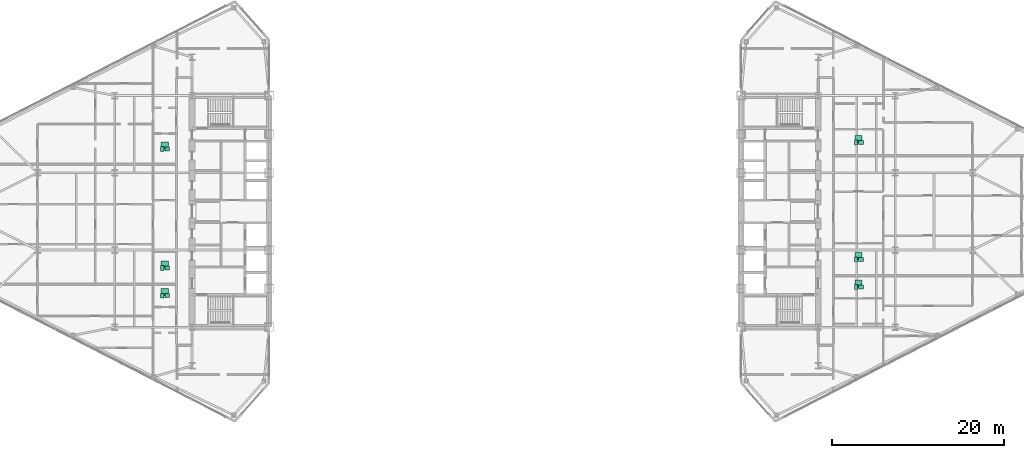
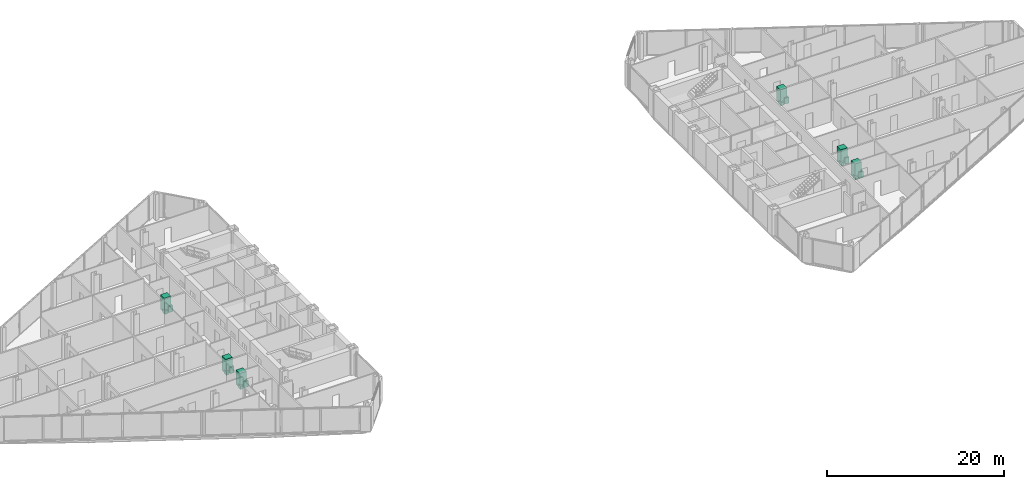
# One storey, part 24 of 24: 18 sanitary terminals.
"""IFC4 building model written with IfcOpenShell, lengths in metres."""

import ifcopenshell
import ifcopenshell.guid

model = None  # the IFC model being written
_history = None  # IfcOwnerHistory: only IFC2X3 demands one
_inside = {}  # id of a spatial element -> (the spatial element, [elements in it])
_under = {}  # id of a project, library or spatial element -> (it, [spatial elements below it])
_declared = {}  # id of a project -> (the project, [libraries it declares])
_typed = {}  # id of a type object -> (the type object, [elements of that type])
_made_of = {}  # id of a material, layer set ... -> (it, [elements and type objects made of it])


def new_model(schema):
    """Start an empty IFC model of exactly this schema.

    Asked for "IFC4X3", IfcOpenShell would pick the latest addendum, in which some entities
    have other attributes; the version numbers below select the first issue.
    IFC2X3 requires an IfcOwnerHistory on every rooted entity: one is made here for all.
    """
    global model, _history
    if schema == "IFC4X3":
        model = ifcopenshell.file(schema_version=(4, 3, 0, 0))
    else:
        model = ifcopenshell.file(schema=schema)
    _inside.clear()
    _under.clear()
    _declared.clear()
    _typed.clear()
    _made_of.clear()
    _history = None
    if model.schema == "IFC2X3":
        org = make("IfcOrganization", Name="unknown")
        user = make(
            "IfcPersonAndOrganization",
            ThePerson=make("IfcPerson", FamilyName="unknown"),
            TheOrganization=org,
        )
        app = make(
            "IfcApplication",
            ApplicationDeveloper=org,
            Version="unknown",
            ApplicationFullName="unknown",
            ApplicationIdentifier="unknown",
        )
        _history = make(
            "IfcOwnerHistory",
            OwningUser=user,
            OwningApplication=app,
            ChangeAction="ADDED",
            CreationDate=0,
        )
    return model


def make(cls, **values):
    """One entity of the class cls with the attributes given. An attribute that is None is left unset."""
    return model.create_entity(
        cls, **{name: value for name, value in values.items() if value is not None}
    )


def rooted(cls, **values):
    """An entity with a GlobalId (a new one), such as an element, a storey or a relation."""
    return make(cls, GlobalId=ifcopenshell.guid.new(), OwnerHistory=_history, **values)


def si_unit(unit_type, name, prefix=None):
    """IfcSIUnit, for example si_unit("LENGTHUNIT", "METRE", prefix="MILLI")."""
    return make("IfcSIUnit", UnitType=unit_type, Prefix=prefix, Name=name)


def assignment(units):
    """IfcUnitAssignment: the units of a project."""
    return None if units is None else make("IfcUnitAssignment", Units=units)


def point(xyz):
    """IfcCartesianPoint."""
    return None if xyz is None else make("IfcCartesianPoint", Coordinates=xyz)


def direction(xyz):
    """IfcDirection."""
    return None if xyz is None else make("IfcDirection", DirectionRatios=xyz)


def frame(location, z_axis=None, x_axis=None):
    """IfcAxis2Placement3D, a coordinate frame: its origin and axes. An axis left out is left unset."""
    return make(
        "IfcAxis2Placement3D",
        Location=point(location),
        Axis=direction(z_axis),
        RefDirection=direction(x_axis),
    )


def frame_2d(location, x_axis=None):
    """IfcAxis2Placement2D, a coordinate frame in the plane: its origin and x axis."""
    return make(
        "IfcAxis2Placement2D", Location=point(location), RefDirection=direction(x_axis)
    )


def origin():
    """The frame at (0, 0, 0) with its axes left unset."""
    return frame((0.0, 0.0, 0.0))


def origin_2d():
    """The frame at (0, 0) in the plane with its x axis left unset."""
    return frame_2d((0.0, 0.0))


def place(relative_to, where):
    """IfcLocalPlacement: puts the frame where relative to a parent placement (None: the world)."""
    return make(
        "IfcLocalPlacement", PlacementRelTo=relative_to, RelativePlacement=where
    )


def context(
    kind, dimensions, precision=None, world=None, true_north=None, identifier=None
):
    """IfcGeometricRepresentationContext, for example the 3D "Model" context."""
    return make(
        "IfcGeometricRepresentationContext",
        ContextIdentifier=identifier,
        ContextType=kind,
        CoordinateSpaceDimension=dimensions,
        Precision=precision,
        WorldCoordinateSystem=world,
        TrueNorth=true_north,
    )


def subcontext(parent, identifier, kind, view, scale=None):
    """IfcGeometricRepresentationSubContext, for example "Body" below "Model"."""
    return make(
        "IfcGeometricRepresentationSubContext",
        ContextIdentifier=identifier,
        ContextType=kind,
        ParentContext=parent,
        TargetScale=scale,
        TargetView=view,
    )


def project(units=None, contexts=None):
    """IfcProject with its units and contexts."""
    return rooted(
        "IfcProject",
        Name="project",
        RepresentationContexts=contexts,
        UnitsInContext=assignment(units),
    )


def spatial(cls, under=None, at=None, **own):
    """A site, building, storey or space (cls), placed at a placement, below another one or the project."""
    s = rooted(cls, ObjectPlacement=at, **own)
    if under is not None:
        _under.setdefault(under.id(), (under, []))[1].append(s)
    return s


def profile(cls, at=None, kind="AREA", **sizes):
    """A parametric profile (cls). Its sizes go by their IFC names, for example OverallWidth=200.0."""
    return make(cls, ProfileType=kind, Position=at, **sizes)


def rectangle(**sizes):
    """IfcRectangleProfileDef."""
    return profile("IfcRectangleProfileDef", **sizes)


def extrude(swept, where, along, depth):
    """IfcExtrudedAreaSolid: the profile swept, set in the frame where, extruded along a direction by depth."""
    return make(
        "IfcExtrudedAreaSolid",
        SweptArea=swept,
        Position=where,
        ExtrudedDirection=direction(along),
        Depth=depth,
    )


def shape(context_of_items, identifier, shape_type, items):
    """IfcShapeRepresentation: the items that make up one representation, for example the "Body"."""
    return make(
        "IfcShapeRepresentation",
        ContextOfItems=context_of_items,
        RepresentationIdentifier=identifier,
        RepresentationType=shape_type,
        Items=items,
    )


def source(mapping_origin, context_of_items, identifier, shape_type, items):
    """IfcRepresentationMap: a shape defined once, which mapped items show again and again."""
    return make(
        "IfcRepresentationMap",
        MappingOrigin=mapping_origin,
        MappedRepresentation=shape(context_of_items, identifier, shape_type, items),
    )


def transform(
    local_origin,
    x_axis=None,
    y_axis=None,
    z_axis=None,
    scale=None,
    scale2=None,
    scale3=None,
    uniform=True,
):
    """IfcCartesianTransformationOperator3D, or its non-uniform kind. x_axis, y_axis, z_axis: its Axis1, 2, 3."""
    if uniform:
        return make(
            "IfcCartesianTransformationOperator3D",
            Axis1=direction(x_axis),
            Axis2=direction(y_axis),
            LocalOrigin=point(local_origin),
            Scale=scale,
            Axis3=direction(z_axis),
        )
    return make(
        "IfcCartesianTransformationOperator3DnonUniform",
        Axis1=direction(x_axis),
        Axis2=direction(y_axis),
        LocalOrigin=point(local_origin),
        Scale=scale,
        Axis3=direction(z_axis),
        Scale2=scale2,
        Scale3=scale3,
    )


def mapped(mapping_source, mapping_target):
    """IfcMappedItem: shows the shape of a source again, moved by a transform."""
    return make(
        "IfcMappedItem", MappingSource=mapping_source, MappingTarget=mapping_target
    )


def material(Name=None, Category=None):
    """IfcMaterial."""
    return make("IfcMaterial", Name=Name, Category=Category)


def made_of(thing, what):
    """Note that an element or type object is made of a material, layer set ...; save() writes the relation."""
    if what is not None:
        _made_of.setdefault(what.id(), (what, []))[1].append(thing)
    return thing


def type_object(cls, material=None, **own):
    """A type object (cls), such as IfcWallType, which elements share."""
    return made_of(rooted(cls, **own), material)


def type_shapes(of_type, sources):
    """Give a type object the sources (RepresentationMaps) that its elements show as mapped items."""
    of_type.RepresentationMaps = sources


def element(
    cls,
    number,
    at=None,
    inside=None,
    cuts=None,
    type_object=None,
    material=None,
    context=None,
    identifier="Body",
    shape_type=None,
    held_by="IfcProductDefinitionShape",
    body=None,
    shapes=None,
    **own,
):
    """One element of the class cls, such as IfcWall. Its Tag is "e" and its number.

    at: its placement. inside: the storey or other place that contains it. cuts: it is an
    opening in that element (IfcRelVoidsElement). A single representation is given by context,
    identifier, shape_type and body (its items); several are given by shapes. held_by: the class
    of the entity that holds the representations. save() writes the other relations.
    """
    e = rooted(cls, Tag="e%d" % number, ObjectPlacement=at, **own)
    if body is not None:
        shapes = [shape(context, identifier, shape_type, body)]
    if shapes is not None:
        e.Representation = make(held_by, Representations=shapes)
    if inside is not None:
        _inside.setdefault(inside.id(), (inside, []))[1].append(e)
    if cuts is not None:
        rooted(
            "IfcRelVoidsElement", RelatingBuildingElement=cuts, RelatedOpeningElement=e
        )
    if type_object is not None:
        _typed.setdefault(type_object.id(), (type_object, []))[1].append(e)
    return made_of(e, material)


def aggregate(whole, parts):
    """IfcRelAggregates: a whole, such as a stair, and the parts it consists of."""
    return rooted("IfcRelAggregates", RelatingObject=whole, RelatedObjects=parts)


def save(model, path):
    """Write the relations noted so far, then the file.

    IfcRelAggregates (storeys below a building ...), IfcRelContainedInSpatialStructure (elements
    in a storey), IfcRelDefinesByType, IfcRelAssociatesMaterial and IfcRelDeclares: one each for
    every whole, place, type object, material and project.
    """
    for whole, parts in _under.values():
        aggregate(whole, parts)
    for where, things in _inside.values():
        rooted(
            "IfcRelContainedInSpatialStructure",
            RelatedElements=things,
            RelatingStructure=where,
        )
    for kind, things in _typed.values():
        rooted("IfcRelDefinesByType", RelatedObjects=things, RelatingType=kind)
    for what, things in _made_of.values():
        rooted("IfcRelAssociatesMaterial", RelatedObjects=things, RelatingMaterial=what)
    for by, libraries in _declared.values():
        rooted("IfcRelDeclares", RelatingContext=by, RelatedDefinitions=libraries)
    model.write(path)


model = new_model("IFC4")

# Units and contexts
model_context = context("Model", 3, precision=1e-05, world=origin(), true_north=direction((0.0, 1.0)))
body_context = subcontext(model_context, "Body", "Model", "MODEL_VIEW")
ifc_project = project(units=[si_unit("LENGTHUNIT", "METRE"), si_unit("AREAUNIT", "SQUARE_METRE"), si_unit("VOLUMEUNIT", "CUBIC_METRE"), si_unit("PLANEANGLEUNIT", "RADIAN"), si_unit("MASSUNIT", "GRAM", prefix="KILO")], contexts=[model_context])

# Site, building, storey
site_placement = place(None, origin())
site = spatial("IfcSite", under=ifc_project, at=site_placement, CompositionType="ELEMENT")
building_placement = place(site_placement, origin())
building = spatial("IfcBuilding", under=site, at=building_placement, Name="Seokmaru Belvedere", CompositionType="ELEMENT")
storey_placement = place(building_placement, frame((0.0, 0.0, 114.0)))
storey = spatial("IfcBuildingStorey", under=building, at=storey_placement, Name="L30", CompositionType="ELEMENT", Elevation=114.0)

# Sanitary terminals
ifc_material_1 = material(Name="Vitreous China Sanitaryware")
sanitary_terminal_type_1 = type_object("IfcSanitaryTerminalType", Name="Wall-Hung Vitreous China WC Pan", PredefinedType="TOILETPAN", material=ifc_material_1)
shared_shape_1 = source(origin(), body_context, "Body", "SweptSolid", [
    extrude(rectangle(XDim=0.3798828125, YDim=0.56005859375, at=origin_2d()), origin(), (0.0, 0.0, 1.0), 0.419921875),
])
type_shapes(sanitary_terminal_type_1, [shared_shape_1])
for number, where, z_axis, x_axis, name in (
    (1, (-39.97509765625, -9.822021484375, 0.0), (0.0, 0.0, 1.0), (1.0, 0.0, 0.0), "L30 Vitreous China WC 0170"),
    (2, (-39.97509765625, -6.611083984375, 0.0), (0.0, 0.0, 1.0), (1.0, 0.0, 0.0), "L30 Vitreous China WC 0171"),
    (3, (-39.97509765625, 7.2890625, 0.0), (0.0, 0.0, 1.0), (1.0, 0.0, 0.0), "L30 Vitreous China WC 0172"),
    (4, (40.89990234375, -8.822021484375, 0.0), (0.0, 0.0, 1.0), (1.0, 0.0, 0.0), "L30 Vitreous China WC 0173"),
    (5, (40.89990234375, -5.611083984375, 0.0), (0.0, 0.0, 1.0), (1.0, 0.0, 0.0), "L30 Vitreous China WC 0174"),
    (6, (40.89990234375, 8.0390625, 0.0), (0.0, 0.0, 1.0), (1.0, 0.0, 0.0), "L30 Vitreous China WC 0175"),
):
    element("IfcSanitaryTerminal", number, at=place(storey_placement, frame(where, z_axis=z_axis, x_axis=x_axis)), inside=storey, type_object=sanitary_terminal_type_1, Name=name, PredefinedType="TOILETPAN", context=body_context, shape_type="MappedRepresentation", body=[
        mapped(shared_shape_1, transform((0.0, 0.0, 0.0), scale=1.0)),
    ])
sanitary_terminal_type_2 = type_object("IfcSanitaryTerminalType", Name="Countertop Ceramic Washhand Basin", PredefinedType="WASHHANDBASIN", material=ifc_material_1)
shared_shape_2 = source(origin(), body_context, "Body", "SweptSolid", [
    extrude(rectangle(XDim=0.550048828125, YDim=0.449951171875, at=origin_2d()), origin(), (0.0, 0.0, 1.0), 0.820068359375),
])
type_shapes(sanitary_terminal_type_2, [shared_shape_2])
for number, where, z_axis, x_axis, name in (
    (7, (-39.375, -9.822021484375, 0.0), (0.0, 0.0, 1.0), (1.0, 0.0, 0.0), "L30 Ceramic Washhand Basin 0170"),
    (8, (-39.375, -6.611083984375, 0.0), (0.0, 0.0, 1.0), (1.0, 0.0, 0.0), "L30 Ceramic Washhand Basin 0171"),
    (9, (-39.375, 7.2890625, 0.0), (0.0, 0.0, 1.0), (1.0, 0.0, 0.0), "L30 Ceramic Washhand Basin 0172"),
    (10, (41.5, -8.822021484375, 0.0), (0.0, 0.0, 1.0), (1.0, 0.0, 0.0), "L30 Ceramic Washhand Basin 0173"),
    (11, (41.5, -5.611083984375, 0.0), (0.0, 0.0, 1.0), (1.0, 0.0, 0.0), "L30 Ceramic Washhand Basin 0174"),
    (12, (41.5, 8.0390625, 0.0), (0.0, 0.0, 1.0), (1.0, 0.0, 0.0), "L30 Ceramic Washhand Basin 0175"),
):
    element("IfcSanitaryTerminal", number, at=place(storey_placement, frame(where, z_axis=z_axis, x_axis=x_axis)), inside=storey, type_object=sanitary_terminal_type_2, Name=name, PredefinedType="WASHHANDBASIN", context=body_context, shape_type="MappedRepresentation", body=[
        mapped(shared_shape_2, transform((0.0, 0.0, 0.0), scale=1.0)),
    ])
ifc_material_2 = material(Name="Stainless Steel 316", Category="steel")
sanitary_terminal_type_3 = type_object("IfcSanitaryTerminalType", Name="Walk-In Thermostatic Rain Shower Enclosure", PredefinedType="SHOWER", material=ifc_material_2)
shared_shape_3 = source(origin(), body_context, "Body", "SweptSolid", [
    extrude(rectangle(XDim=0.85009765625, YDim=0.85009765625, at=origin_2d()), origin(), (0.0, 0.0, 1.0), 2.050048828125),
])
type_shapes(sanitary_terminal_type_3, [shared_shape_3])
for number, where, z_axis, x_axis, name in (
    (13, (-39.675048828125, -9.44189453125, 0.0), (0.0, 0.0, 1.0), (1.0, 0.0, 0.0), "L30 Walk-In Shower 0170"),
    (14, (-39.675048828125, -6.23095703125, 0.0), (0.0, 0.0, 1.0), (1.0, 0.0, 0.0), "L30 Walk-In Shower 0171"),
    (15, (-39.675048828125, 7.6689453125, 0.0), (0.0, 0.0, 1.0), (1.0, 0.0, 0.0), "L30 Walk-In Shower 0172"),
    (16, (41.199951171875, -8.44189453125, 0.0), (0.0, 0.0, 1.0), (1.0, 0.0, 0.0), "L30 Walk-In Shower 0173"),
    (17, (41.199951171875, -5.23095703125, 0.0), (0.0, 0.0, 1.0), (1.0, 0.0, 0.0), "L30 Walk-In Shower 0174"),
    (18, (41.199951171875, 8.4189453125, 0.0), (0.0, 0.0, 1.0), (1.0, 0.0, 0.0), "L30 Walk-In Shower 0175"),
):
    element("IfcSanitaryTerminal", number, at=place(storey_placement, frame(where, z_axis=z_axis, x_axis=x_axis)), inside=storey, type_object=sanitary_terminal_type_3, Name=name, PredefinedType="SHOWER", context=body_context, shape_type="MappedRepresentation", body=[
        mapped(shared_shape_3, transform((0.0, 0.0, 0.0), scale=1.0)),
    ])

save(model, "model.ifc")
